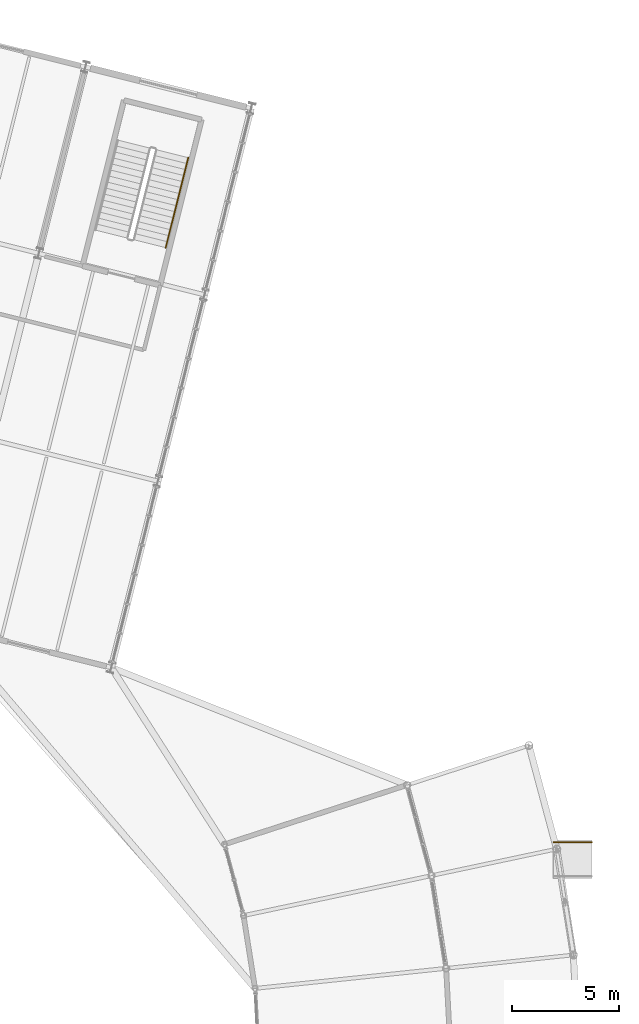
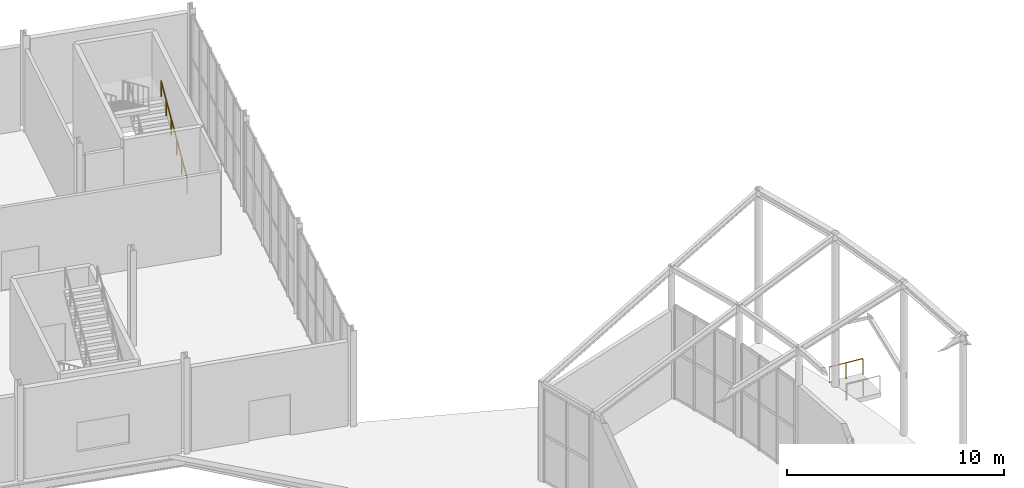
# One storey, part 156 of 158: 2 railings, 1 element without a shape of its own.
"""IFC4 building model written with IfcOpenShell, lengths in metres."""

from ifc_helpers import new_model, si_unit, derived_unit, direction, frame, origin, origin_2d, place, context, subcontext, project, spatial, circle, extrude, material, type_object, element, aggregate, save


model = new_model("IFC4")

# Units and contexts
model_context = context("Model", 3, precision=1e-05, world=origin(), true_north=direction((0.0, 1.0)))
body_context = subcontext(model_context, "Body", "Model", "MODEL_VIEW")
ifc_project = project(units=[si_unit("LENGTHUNIT", "METRE"), si_unit("AREAUNIT", "SQUARE_METRE"), si_unit("VOLUMEUNIT", "CUBIC_METRE"), si_unit("PLANEANGLEUNIT", "RADIAN"), si_unit("MASSUNIT", "GRAM", prefix="KILO"), si_unit("THERMODYNAMICTEMPERATUREUNIT", "KELVIN"), si_unit("TIMEUNIT", "SECOND"), derived_unit("THERMALTRANSMITTANCEUNIT", [(si_unit("MASSUNIT", "GRAM", prefix="KILO"), 1), (si_unit("THERMODYNAMICTEMPERATUREUNIT", "KELVIN"), -1), (si_unit("TIMEUNIT", "SECOND"), -3)])], contexts=[model_context])

# Site, building, storey
site_placement = place(None, origin())
site = spatial("IfcSite", under=ifc_project, at=site_placement, CompositionType="ELEMENT")
building_placement = place(site_placement, origin())
building = spatial("IfcBuilding", under=site, at=building_placement, Name="Cambertide Market Hall", CompositionType="ELEMENT")
storey_placement = place(building_placement, origin())
storey = spatial("IfcBuildingStorey", under=building, at=storey_placement, Name="L01", CompositionType="ELEMENT", Elevation=0.0)

# Ramp, railing
ifc_material_1 = material(Name="Flamed Central-Vietnam Granite Paving", Category="masonry")
ramp_type = type_object("IfcRampType", Name="Exterior Accessible Entry Ramp", PredefinedType="STRAIGHT_RUN_RAMP", material=ifc_material_1)
ramp_placement = place(storey_placement, origin())
ramp = element("IfcRamp", 1, at=ramp_placement, inside=storey, type_object=ramp_type, Name="Promenade North Entry Accessible Ramp PR-02", PredefinedType="STRAIGHT_RUN_RAMP")
ifc_material_2 = material(Name="Stainless Steel Grade 316", Category="metal")
railing_type_1 = type_object("IfcRailingType", Name="Exterior Plinth Ramp Handrail 920", PredefinedType="HANDRAIL", material=ifc_material_2)
railing_1_placement = place(storey_placement, frame((192.60009765625, 76.2919921875, -0.14990234375)))
railing_1 = element("IfcRailing", 2, at=railing_1_placement, type_object=railing_type_1, Name="Promenade North Entry Accessible Ramp PR-02 Handrail 1", PredefinedType="HANDRAIL", context=body_context, shape_type="SweptSolid", body=[
    extrude(circle(Radius=0.02392578125, at=origin_2d()), frame((0.0, 0.0, 0.89599609375), z_axis=(-0.996550417439, 0.0, 0.082989550564), x_axis=(0.0, -1.0, 0.0)), (0.0, 0.0, 1.0), 1.806396484375),
    extrude(circle(Radius=0.02099609375, at=origin_2d()), origin(), (0.0, 0.0, 1.0), 0.871826171875),
    extrude(circle(Radius=0.02099609375, at=origin_2d()), frame((-0.89990234375, 0.0, 0.074951171875)), (0.0, 0.0, 1.0), 0.871826171875),
    extrude(circle(Radius=0.02099609375, at=origin_2d()), frame((-1.800048828125, 0.0, 0.14990234375)), (0.0, 0.0, 1.0), 0.871826171875),
])
aggregate(ramp, [railing_1])

# Railing
ifc_material_3 = material(Name="Stainless Steel Grade 316", Category="metal")
railing_type_2 = type_object("IfcRailingType", Name="Stair Wall Handrail 900", PredefinedType="HANDRAIL", material=ifc_material_3)
railing_2_placement = place(storey_placement, frame((172.6357421875, 104.1474609375, 0.168701171875)))
element("IfcRailing", 3, at=railing_2_placement, inside=storey, type_object=railing_type_2, Name="Level 1 ST-08B stair handrail 1", PredefinedType="HANDRAIL", context=body_context, shape_type="SweptSolid", body=[
    extrude(circle(Radius=0.02392578125, at=origin_2d()), frame((0.0, 0.0, 0.8759765625), z_axis=(0.209614653707, 0.838507125508, 0.502958743261), x_axis=(-0.970145801612, 0.242522418789, 0.0)), (0.0, 0.0, 1.0), 5.03271484375),
    extrude(circle(Radius=0.02099609375, at=origin_2d()), origin(), (0.0, 0.0, 1.0), 0.851806640625),
    extrude(circle(Radius=0.02099609375, at=origin_2d()), frame((0.2109375, 0.843994140625, 0.50634765625)), (0.0, 0.0, 1.0), 0.851806640625),
    extrude(circle(Radius=0.02099609375, at=origin_2d()), frame((0.421875, 1.68798828125, 1.012451171875)), (0.0, 0.0, 1.0), 0.851806640625),
    extrude(circle(Radius=0.02099609375, at=origin_2d()), frame((0.633056640625, 2.531982421875, 1.518798828125)), (0.0, 0.0, 1.0), 0.851806640625),
    extrude(circle(Radius=0.02099609375, at=origin_2d()), frame((0.843994140625, 3.3759765625, 2.02490234375)), (0.0, 0.0, 1.0), 0.851806640625),
    extrude(circle(Radius=0.02099609375, at=origin_2d()), frame((1.054931640625, 4.219970703125, 2.53125)), (0.0, 0.0, 1.0), 0.851806640625),
])

save(model, "model.ifc")
